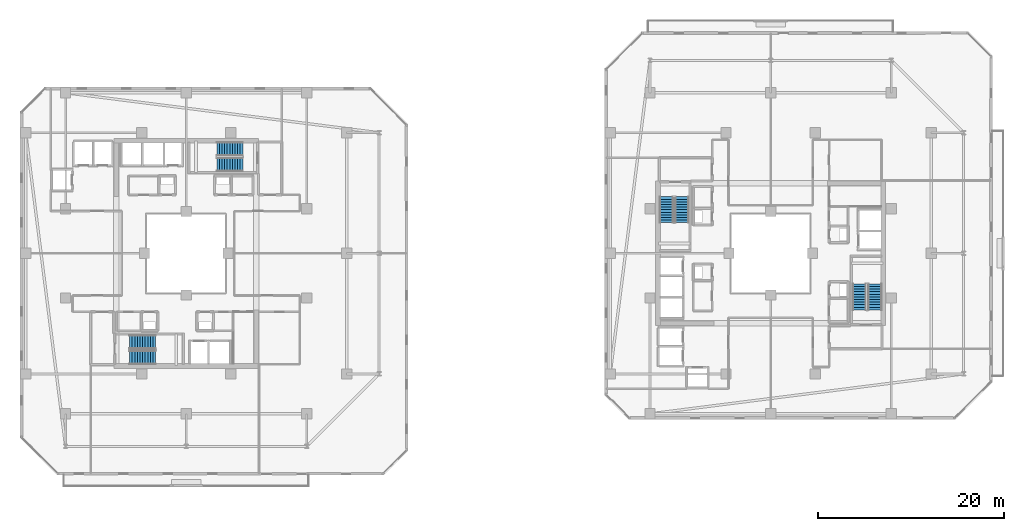
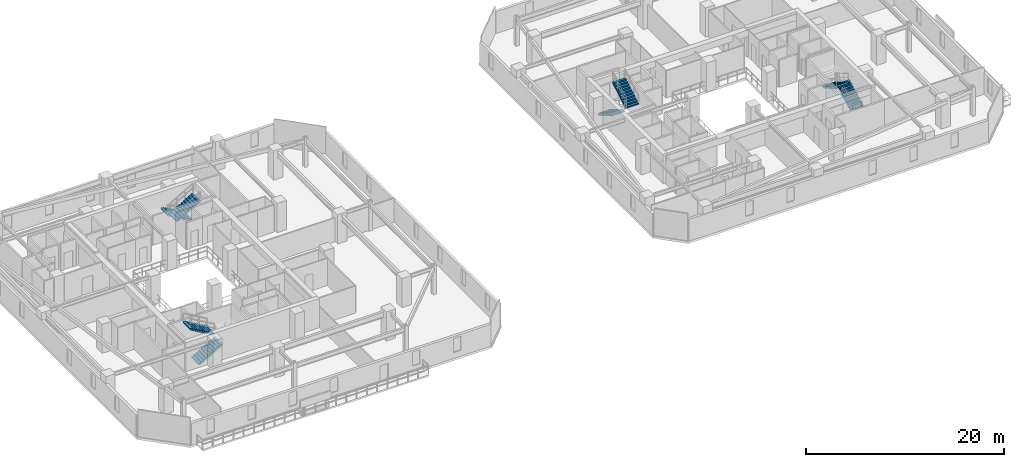
# One storey, part 26 of 32: 8 stair flights, 4 elements without a shape of their own.
"""IFC4 building model written with IfcOpenShell, lengths in metres."""

from ifc_helpers import new_model, si_unit, direction, frame, origin, place, context, subcontext, project, spatial, polyline, outline, extrude, material, type_object, element, aggregate, save


model = new_model("IFC4")

# Units and contexts
model_context = context("Model", 3, precision=1e-05, world=origin(), true_north=direction((0.0, 1.0)))
body_context = subcontext(model_context, "Body", "Model", "MODEL_VIEW")
ifc_project = project(units=[si_unit("LENGTHUNIT", "METRE"), si_unit("AREAUNIT", "SQUARE_METRE"), si_unit("VOLUMEUNIT", "CUBIC_METRE"), si_unit("PLANEANGLEUNIT", "RADIAN"), si_unit("MASSUNIT", "GRAM", prefix="KILO")], contexts=[model_context])

# Site, building, storey
site_placement = place(None, origin())
site = spatial("IfcSite", under=ifc_project, at=site_placement, CompositionType="ELEMENT")
building_placement = place(site_placement, origin())
building = spatial("IfcBuilding", under=site, at=building_placement, Name="Thornwick Lancets Civic Towers", CompositionType="ELEMENT")
storey_placement = place(building_placement, frame((0.0, 0.0, 152.699951171875)))
storey = spatial("IfcBuildingStorey", under=building, at=storey_placement, Name="L40", CompositionType="ELEMENT", Elevation=152.699951171875)

# Stair, stair flights
ifc_material = material(Name="Concrete C40/50", Category="concrete")
stair_type = type_object("IfcStairType", Name="STAIR_DL_3600", PredefinedType="HALF_TURN_STAIR", material=ifc_material)
stair_1_placement = place(storey_placement, origin())
stair_1 = element("IfcStair", 1, at=stair_1_placement, inside=storey, type_object=stair_type, Name="L40 Tower A South Exit Stair ST-A1", PredefinedType="HALF_TURN_STAIR")
stair_flight_type = type_object("IfcStairFlightType", Name="FLIGHT_3600", PredefinedType="STRAIGHT", material=ifc_material)
stair_flight_1_placement = place(storey_placement, frame((19.39990234375, 15.75, 0.0), z_axis=(0.0, 0.0, 1.0), x_axis=(1.0, 0.0, 0.0)))
stair_flight_1 = element("IfcStairFlight", 2, at=stair_flight_1_placement, type_object=stair_flight_type, Name="ST-A1 flight 1", NumberOfRisers=11, NumberOfTreads=10, PredefinedType="STRAIGHT", RiserHeight=0.163636364, TreadLength=0.28, context=body_context, shape_type="SweptSolid", body=[
    extrude(outline(polyline([(0.0, 0.0), (0.0, 0.16357421875), (0.280029296875, 0.16357421875), (0.280029296875, 0.327392578125), (0.56005859375, 0.327392578125), (0.56005859375, 0.490966796875), (0.840087890625, 0.490966796875), (0.840087890625, 0.654541015625), (1.1201171875, 0.654541015625), (1.1201171875, 0.818115234375), (1.39990234375, 0.818115234375), (1.39990234375, 0.98193359375), (1.679931640625, 0.98193359375), (1.679931640625, 1.1455078125), (1.9599609375, 1.1455078125), (1.9599609375, 1.30908203125), (2.239990234375, 1.30908203125), (2.239990234375, 1.47265625), (2.52001953125, 1.47265625), (2.52001953125, 1.636474609375), (2.800048828125, 1.636474609375), (2.800048828125, 1.800048828125), (2.800048828125, 1.462646484375), (0.297119140625, 0.0), (0.0, 0.0)])), frame((0.0, 0.75, 0.0), z_axis=(0.0, -1.0, 0.0), x_axis=(1.0, 0.0, 0.0)), (0.0, 0.0, 1.0), 1.5),
])
stair_flight_2_placement = place(storey_placement, frame((22.199951171875, 17.449951171875, 1.800048828125), z_axis=(0.0, 0.0, 1.0), x_axis=(-1.0, 0.0, 0.0)))
stair_flight_2 = element("IfcStairFlight", 3, at=stair_flight_2_placement, type_object=stair_flight_type, Name="ST-A1 flight 2", NumberOfRisers=11, NumberOfTreads=10, PredefinedType="STRAIGHT", RiserHeight=0.163636364, TreadLength=0.28, context=body_context, shape_type="SweptSolid", body=[
    extrude(outline(polyline([(0.0, 0.0), (0.0, 0.16357421875), (0.280029296875, 0.16357421875), (0.280029296875, 0.327392578125), (0.56005859375, 0.327392578125), (0.56005859375, 0.490966796875), (0.840087890625, 0.490966796875), (0.840087890625, 0.654541015625), (1.1201171875, 0.654541015625), (1.1201171875, 0.818115234375), (1.39990234375, 0.818115234375), (1.39990234375, 0.98193359375), (1.679931640625, 0.98193359375), (1.679931640625, 1.1455078125), (1.9599609375, 1.1455078125), (1.9599609375, 1.30908203125), (2.239990234375, 1.30908203125), (2.239990234375, 1.47265625), (2.52001953125, 1.47265625), (2.52001953125, 1.636474609375), (2.800048828125, 1.636474609375), (2.800048828125, 1.800048828125), (2.800048828125, 1.462646484375), (0.297119140625, 0.0), (0.0, 0.0)])), frame((0.0, 0.75, 0.0), z_axis=(0.0, -1.0, 0.0), x_axis=(1.0, 0.0, 0.0)), (0.0, 0.0, 1.0), 1.5),
])
aggregate(stair_1, [stair_flight_1, stair_flight_2])

stair_2_placement = place(storey_placement, origin())
stair_2 = element("IfcStair", 4, at=stair_2_placement, inside=storey, type_object=stair_type, Name="L40 Tower A North Exit Stair ST-A2", PredefinedType="HALF_TURN_STAIR")
stair_flight_3_placement = place(storey_placement, frame((31.60009765625, 38.25, 0.0), z_axis=(0.0, 0.0, 1.0), x_axis=(-1.0, 0.0, 0.0)))
stair_flight_3 = element("IfcStairFlight", 5, at=stair_flight_3_placement, type_object=stair_flight_type, Name="ST-A2 flight 1", NumberOfRisers=11, NumberOfTreads=10, PredefinedType="STRAIGHT", RiserHeight=0.163636364, TreadLength=0.28, context=body_context, shape_type="SweptSolid", body=[
    extrude(outline(polyline([(0.0, 0.0), (0.0, 0.16357421875), (0.280029296875, 0.16357421875), (0.280029296875, 0.327392578125), (0.56005859375, 0.327392578125), (0.56005859375, 0.490966796875), (0.840087890625, 0.490966796875), (0.840087890625, 0.654541015625), (1.1201171875, 0.654541015625), (1.1201171875, 0.818115234375), (1.39990234375, 0.818115234375), (1.39990234375, 0.98193359375), (1.679931640625, 0.98193359375), (1.679931640625, 1.1455078125), (1.9599609375, 1.1455078125), (1.9599609375, 1.30908203125), (2.239990234375, 1.30908203125), (2.239990234375, 1.47265625), (2.52001953125, 1.47265625), (2.52001953125, 1.636474609375), (2.800048828125, 1.636474609375), (2.800048828125, 1.800048828125), (2.800048828125, 1.462646484375), (0.297119140625, 0.0), (0.0, 0.0)])), frame((0.0, 0.75, 0.0), z_axis=(0.0, -1.0, 0.0), x_axis=(1.0, 0.0, 0.0)), (0.0, 0.0, 1.0), 1.5),
])
stair_flight_4_placement = place(storey_placement, frame((28.800048828125, 36.550048828125, 1.800048828125), z_axis=(0.0, 0.0, 1.0), x_axis=(1.0, 0.0, 0.0)))
stair_flight_4 = element("IfcStairFlight", 6, at=stair_flight_4_placement, type_object=stair_flight_type, Name="ST-A2 flight 2", NumberOfRisers=11, NumberOfTreads=10, PredefinedType="STRAIGHT", RiserHeight=0.163636364, TreadLength=0.28, context=body_context, shape_type="SweptSolid", body=[
    extrude(outline(polyline([(0.0, 0.0), (0.0, 0.16357421875), (0.280029296875, 0.16357421875), (0.280029296875, 0.327392578125), (0.56005859375, 0.327392578125), (0.56005859375, 0.490966796875), (0.840087890625, 0.490966796875), (0.840087890625, 0.654541015625), (1.1201171875, 0.654541015625), (1.1201171875, 0.818115234375), (1.39990234375, 0.818115234375), (1.39990234375, 0.98193359375), (1.679931640625, 0.98193359375), (1.679931640625, 1.1455078125), (1.9599609375, 1.1455078125), (1.9599609375, 1.30908203125), (2.239990234375, 1.30908203125), (2.239990234375, 1.47265625), (2.52001953125, 1.47265625), (2.52001953125, 1.636474609375), (2.800048828125, 1.636474609375), (2.800048828125, 1.800048828125), (2.800048828125, 1.462646484375), (0.297119140625, 0.0), (0.0, 0.0)])), frame((0.0, 0.75, 0.0), z_axis=(0.0, -1.0, 0.0), x_axis=(1.0, 0.0, 0.0)), (0.0, 0.0, 1.0), 1.5),
])
aggregate(stair_2, [stair_flight_3, stair_flight_4])

stair_3_placement = place(storey_placement, origin())
stair_3 = element("IfcStair", 7, at=stair_3_placement, inside=storey, type_object=stair_type, Name="L40 Tower B East Exit Stair ST-B1", PredefinedType="HALF_TURN_STAIR")
stair_flight_5_placement = place(storey_placement, frame((99.75, 20.89990234375, 0.0), z_axis=(0.0, 0.0, 1.0), x_axis=(0.0, 1.0, 0.0)))
stair_flight_5 = element("IfcStairFlight", 8, at=stair_flight_5_placement, type_object=stair_flight_type, Name="ST-B1 flight 1", NumberOfRisers=11, NumberOfTreads=10, PredefinedType="STRAIGHT", RiserHeight=0.163636364, TreadLength=0.28, context=body_context, shape_type="SweptSolid", body=[
    extrude(outline(polyline([(0.0, 0.0), (0.0, 0.16357421875), (0.280029296875, 0.16357421875), (0.280029296875, 0.327392578125), (0.56005859375, 0.327392578125), (0.56005859375, 0.490966796875), (0.840087890625, 0.490966796875), (0.840087890625, 0.654541015625), (1.1201171875, 0.654541015625), (1.1201171875, 0.818115234375), (1.39990234375, 0.818115234375), (1.39990234375, 0.98193359375), (1.679931640625, 0.98193359375), (1.679931640625, 1.1455078125), (1.9599609375, 1.1455078125), (1.9599609375, 1.30908203125), (2.239990234375, 1.30908203125), (2.239990234375, 1.47265625), (2.52001953125, 1.47265625), (2.52001953125, 1.636474609375), (2.800048828125, 1.636474609375), (2.800048828125, 1.800048828125), (2.800048828125, 1.462646484375), (0.297119140625, 0.0), (0.0, 0.0)])), frame((0.0, 0.75, 0.0), z_axis=(0.0, -1.0, 0.0), x_axis=(1.0, 0.0, 0.0)), (0.0, 0.0, 1.0), 1.5),
])
stair_flight_6_placement = place(storey_placement, frame((98.050048828125, 23.699951171875, 1.800048828125), z_axis=(0.0, 0.0, 1.0), x_axis=(0.0, -1.0, 0.0)))
stair_flight_6 = element("IfcStairFlight", 9, at=stair_flight_6_placement, type_object=stair_flight_type, Name="ST-B1 flight 2", NumberOfRisers=11, NumberOfTreads=10, PredefinedType="STRAIGHT", RiserHeight=0.163636364, TreadLength=0.28, context=body_context, shape_type="SweptSolid", body=[
    extrude(outline(polyline([(0.0, 0.0), (0.0, 0.16357421875), (0.280029296875, 0.16357421875), (0.280029296875, 0.327392578125), (0.56005859375, 0.327392578125), (0.56005859375, 0.490966796875), (0.840087890625, 0.490966796875), (0.840087890625, 0.654541015625), (1.1201171875, 0.654541015625), (1.1201171875, 0.818115234375), (1.39990234375, 0.818115234375), (1.39990234375, 0.98193359375), (1.679931640625, 0.98193359375), (1.679931640625, 1.1455078125), (1.9599609375, 1.1455078125), (1.9599609375, 1.30908203125), (2.239990234375, 1.30908203125), (2.239990234375, 1.47265625), (2.52001953125, 1.47265625), (2.52001953125, 1.636474609375), (2.800048828125, 1.636474609375), (2.800048828125, 1.800048828125), (2.800048828125, 1.462646484375), (0.297119140625, 0.0), (0.0, 0.0)])), frame((0.0, 0.75, 0.0), z_axis=(0.0, -1.0, 0.0), x_axis=(1.0, 0.0, 0.0)), (0.0, 0.0, 1.0), 1.5),
])
aggregate(stair_3, [stair_flight_5, stair_flight_6])

stair_4_placement = place(storey_placement, origin())
stair_4 = element("IfcStair", 10, at=stair_4_placement, inside=storey, type_object=stair_type, Name="L40 Tower B West Exit Stair ST-B2", PredefinedType="HALF_TURN_STAIR")
stair_flight_7_placement = place(storey_placement, frame((77.25, 33.10009765625, 0.0), z_axis=(0.0, 0.0, 1.0), x_axis=(0.0, -1.0, 0.0)))
stair_flight_7 = element("IfcStairFlight", 11, at=stair_flight_7_placement, type_object=stair_flight_type, Name="ST-B2 flight 1", NumberOfRisers=11, NumberOfTreads=10, PredefinedType="STRAIGHT", RiserHeight=0.163636364, TreadLength=0.28, context=body_context, shape_type="SweptSolid", body=[
    extrude(outline(polyline([(0.0, 0.0), (0.0, 0.16357421875), (0.280029296875, 0.16357421875), (0.280029296875, 0.327392578125), (0.56005859375, 0.327392578125), (0.56005859375, 0.490966796875), (0.840087890625, 0.490966796875), (0.840087890625, 0.654541015625), (1.1201171875, 0.654541015625), (1.1201171875, 0.818115234375), (1.39990234375, 0.818115234375), (1.39990234375, 0.98193359375), (1.679931640625, 0.98193359375), (1.679931640625, 1.1455078125), (1.9599609375, 1.1455078125), (1.9599609375, 1.30908203125), (2.239990234375, 1.30908203125), (2.239990234375, 1.47265625), (2.52001953125, 1.47265625), (2.52001953125, 1.636474609375), (2.800048828125, 1.636474609375), (2.800048828125, 1.800048828125), (2.800048828125, 1.462646484375), (0.297119140625, 0.0), (0.0, 0.0)])), frame((0.0, 0.75, 0.0), z_axis=(0.0, -1.0, 0.0), x_axis=(1.0, 0.0, 0.0)), (0.0, 0.0, 1.0), 1.5),
])
stair_flight_8_placement = place(storey_placement, frame((78.949951171875, 30.300048828125, 1.800048828125), z_axis=(0.0, 0.0, 1.0), x_axis=(0.0, 1.0, 0.0)))
stair_flight_8 = element("IfcStairFlight", 12, at=stair_flight_8_placement, type_object=stair_flight_type, Name="ST-B2 flight 2", NumberOfRisers=11, NumberOfTreads=10, PredefinedType="STRAIGHT", RiserHeight=0.163636364, TreadLength=0.28, context=body_context, shape_type="SweptSolid", body=[
    extrude(outline(polyline([(0.0, 0.0), (0.0, 0.16357421875), (0.280029296875, 0.16357421875), (0.280029296875, 0.327392578125), (0.56005859375, 0.327392578125), (0.56005859375, 0.490966796875), (0.840087890625, 0.490966796875), (0.840087890625, 0.654541015625), (1.1201171875, 0.654541015625), (1.1201171875, 0.818115234375), (1.39990234375, 0.818115234375), (1.39990234375, 0.98193359375), (1.679931640625, 0.98193359375), (1.679931640625, 1.1455078125), (1.9599609375, 1.1455078125), (1.9599609375, 1.30908203125), (2.239990234375, 1.30908203125), (2.239990234375, 1.47265625), (2.52001953125, 1.47265625), (2.52001953125, 1.636474609375), (2.800048828125, 1.636474609375), (2.800048828125, 1.800048828125), (2.800048828125, 1.462646484375), (0.297119140625, 0.0), (0.0, 0.0)])), frame((0.0, 0.75, 0.0), z_axis=(0.0, -1.0, 0.0), x_axis=(1.0, 0.0, 0.0)), (0.0, 0.0, 1.0), 1.5),
])
aggregate(stair_4, [stair_flight_7, stair_flight_8])

save(model, "model.ifc")
